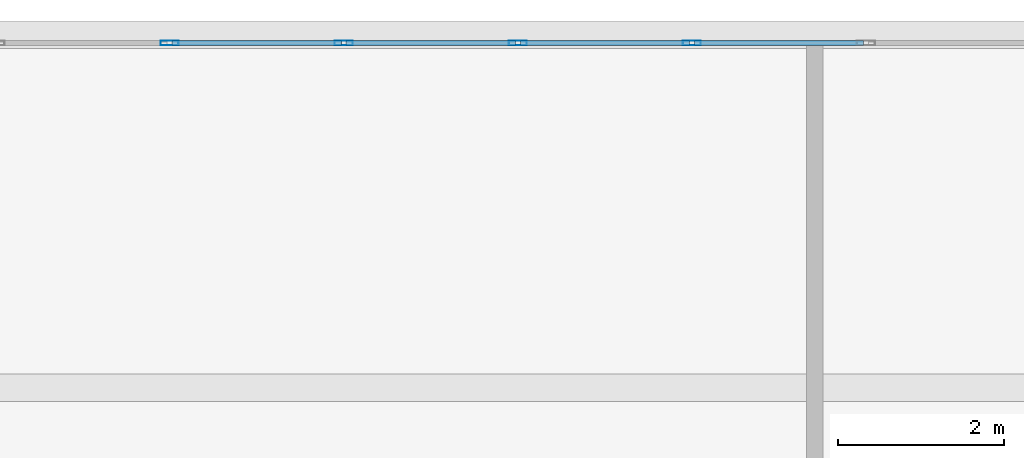
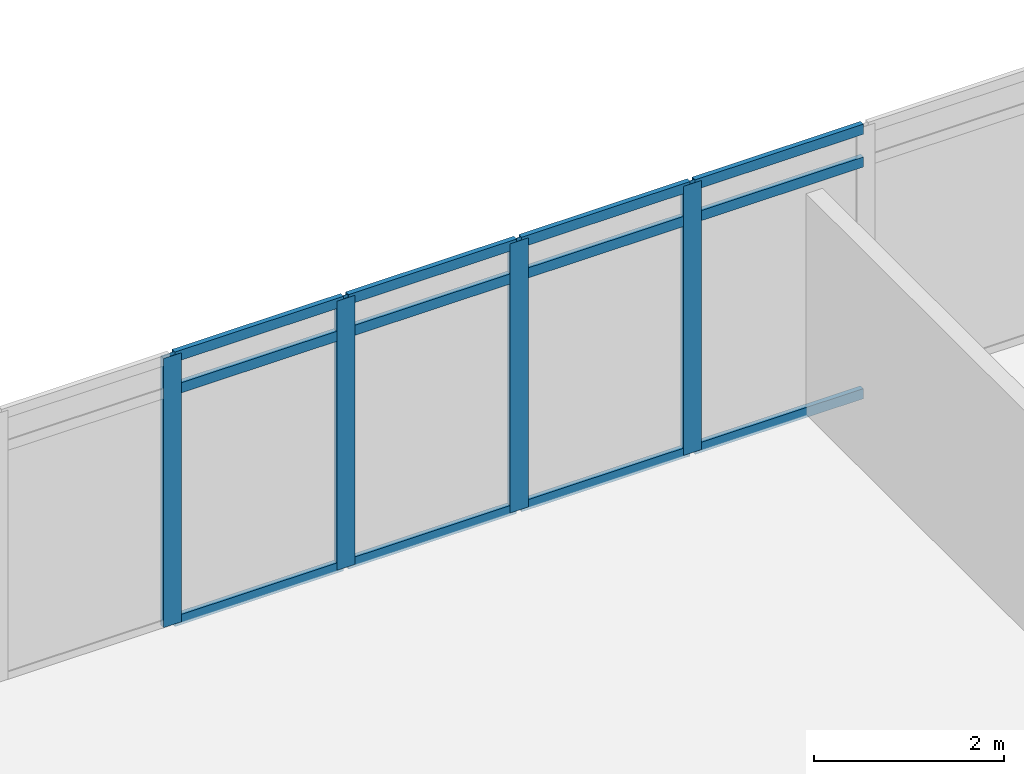
# One storey, part 22 of 38: 16 members, 1 element without a shape of its own.
"""IFC4 building model written with IfcOpenShell, lengths in metres."""

from ifc_helpers import new_model, si_unit, direction, frame, origin, origin_2d, place, context, subcontext, project, spatial, hollow_rectangle, extrude, material, material_profile, profile_set, type_object, element, aggregate, save


model = new_model("IFC4")

# Units and contexts
model_context = context("Model", 3, precision=1e-05, world=origin(), true_north=direction((0.0, 1.0)))
body_context = subcontext(model_context, "Body", "Model", "MODEL_VIEW")
ifc_project = project(units=[si_unit("LENGTHUNIT", "METRE"), si_unit("AREAUNIT", "SQUARE_METRE"), si_unit("VOLUMEUNIT", "CUBIC_METRE"), si_unit("PLANEANGLEUNIT", "RADIAN"), si_unit("MASSUNIT", "GRAM", prefix="KILO")], contexts=[model_context])

# Site, building, storey
site_placement = place(None, origin())
site = spatial("IfcSite", under=ifc_project, at=site_placement, CompositionType="ELEMENT")
building_placement = place(site_placement, origin())
building = spatial("IfcBuilding", under=site, at=building_placement, Name="Ostrander Bayou Hotel Tower", CompositionType="ELEMENT")
storey_placement = place(building_placement, frame((0.0, 0.0, 65.5)))
storey = spatial("IfcBuildingStorey", under=building, at=storey_placement, Name="L16", CompositionType="ELEMENT", Elevation=65.5)

# Curtain wall, members
ifc_material_1 = material(Name="Aluminium and clear glass", Category="aluminium")
curtain_wall_type = type_object("IfcCurtainWallType", Name="CW-BAR glazed wall", PredefinedType="NOTDEFINED", material=ifc_material_1)
curtain_wall_placement = place(storey_placement, origin())
curtain_wall = element("IfcCurtainWall", 1, at=curtain_wall_placement, inside=storey, type_object=curtain_wall_type, Name="CW-BAR L16:SB1N:T", PredefinedType="NOTDEFINED")
ifc_material_2 = material(Name="Aluminium", Category="aluminium")
ifc_material_profile_1 = material_profile(ifc_material_2, hollow_rectangle(XDim=0.06005859375, YDim=0.219970703125, WallThickness=0.00390625, at=origin_2d()))
ifc_profile_set_1 = profile_set([ifc_material_profile_1], Name="Aluminium")
member_type_1 = type_object("IfcMemberType", Name="CW-BR mullion 60 x 220 mm", PredefinedType="MULLION", material=ifc_profile_set_1)
member_1_placement = place(storey_placement, frame((0.0, 30.88623046875, 0.0), z_axis=(0.0, 0.0, 1.0), x_axis=(0.0, 1.0, 0.0)))
member_1 = element("IfcMember", 2, at=member_1_placement, type_object=member_type_1, Name="CW-BAR mullion 8", PredefinedType="MULLION", context=body_context, shape_type="SweptSolid", body=[
    extrude(hollow_rectangle(XDim=0.06005859375, YDim=0.219970703125, WallThickness=0.00390625, at=origin_2d()), origin(), (0.0, 0.0, 1.0), 3.449951171875),
])
member_2_placement = place(storey_placement, frame((2.101806640625, 30.88623046875, 0.0), z_axis=(0.0, 0.0, 1.0), x_axis=(0.0, 1.0, 0.0)))
member_2 = element("IfcMember", 3, at=member_2_placement, type_object=member_type_1, Name="CW-BAR mullion 9", PredefinedType="MULLION", context=body_context, shape_type="SweptSolid", body=[
    extrude(hollow_rectangle(XDim=0.06005859375, YDim=0.219970703125, WallThickness=0.00390625, at=origin_2d()), origin(), (0.0, 0.0, 1.0), 3.449951171875),
])
member_3_placement = place(storey_placement, frame((4.203369140625, 30.88623046875, 0.0), z_axis=(0.0, 0.0, 1.0), x_axis=(0.0, 1.0, 0.0)))
member_3 = element("IfcMember", 4, at=member_3_placement, type_object=member_type_1, Name="CW-BAR mullion 10", PredefinedType="MULLION", context=body_context, shape_type="SweptSolid", body=[
    extrude(hollow_rectangle(XDim=0.06005859375, YDim=0.219970703125, WallThickness=0.00390625, at=origin_2d()), origin(), (0.0, 0.0, 1.0), 3.449951171875),
])
member_4_placement = place(storey_placement, frame((6.30517578125, 30.88623046875, 0.0), z_axis=(0.0, 0.0, 1.0), x_axis=(0.0, 1.0, 0.0)))
member_4 = element("IfcMember", 5, at=member_4_placement, type_object=member_type_1, Name="CW-BAR mullion 11", PredefinedType="MULLION", context=body_context, shape_type="SweptSolid", body=[
    extrude(hollow_rectangle(XDim=0.06005859375, YDim=0.219970703125, WallThickness=0.00390625, at=origin_2d()), origin(), (0.0, 0.0, 1.0), 3.449951171875),
])
ifc_material_3 = material(Name="Aluminium", Category="aluminium")
ifc_material_profile_2 = material_profile(ifc_material_3, hollow_rectangle(XDim=0.06005859375, YDim=0.1298828125, WallThickness=0.00390625, at=origin_2d()))
ifc_profile_set_2 = profile_set([ifc_material_profile_2], Name="Aluminium")
member_type_2 = type_object("IfcMemberType", Name="CW-BR transom 60 x 130 mm", PredefinedType="USERDEFINED", material=ifc_profile_set_2)
member_5_placement = place(storey_placement, frame((0.030029296875, 30.88623046875, 0.030029296875), z_axis=(1.0, 0.0, 0.0), x_axis=(0.0, 1.0, 0.0)))
member_5 = element("IfcMember", 6, at=member_5_placement, type_object=member_type_2, Name="CW-BAR transom 8.1", ObjectType="TRANSOM", PredefinedType="USERDEFINED", context=body_context, shape_type="SweptSolid", body=[
    extrude(hollow_rectangle(XDim=0.06005859375, YDim=0.1298828125, WallThickness=0.00390625, at=origin_2d()), origin(), (0.0, 0.0, 1.0), 2.041748046875),
])
member_6_placement = place(storey_placement, frame((0.030029296875, 30.88623046875, 3.0), z_axis=(1.0, 0.0, 0.0), x_axis=(0.0, 1.0, 0.0)))
member_6 = element("IfcMember", 7, at=member_6_placement, type_object=member_type_2, Name="CW-BAR transom 8.2", ObjectType="TRANSOM", PredefinedType="USERDEFINED", context=body_context, shape_type="SweptSolid", body=[
    extrude(hollow_rectangle(XDim=0.06005859375, YDim=0.1298828125, WallThickness=0.00390625, at=origin_2d()), origin(), (0.0, 0.0, 1.0), 2.041748046875),
])
member_7_placement = place(storey_placement, frame((0.030029296875, 30.88623046875, 3.419921875), z_axis=(1.0, 0.0, 0.0), x_axis=(0.0, 1.0, 0.0)))
member_7 = element("IfcMember", 8, at=member_7_placement, type_object=member_type_2, Name="CW-BAR transom 8.3", ObjectType="TRANSOM", PredefinedType="USERDEFINED", context=body_context, shape_type="SweptSolid", body=[
    extrude(hollow_rectangle(XDim=0.06005859375, YDim=0.1298828125, WallThickness=0.00390625, at=origin_2d()), origin(), (0.0, 0.0, 1.0), 2.041748046875),
])
member_8_placement = place(storey_placement, frame((2.1318359375, 30.88623046875, 0.030029296875), z_axis=(1.0, 0.0, 0.0), x_axis=(0.0, 1.0, 0.0)))
member_8 = element("IfcMember", 9, at=member_8_placement, type_object=member_type_2, Name="CW-BAR transom 9.1", ObjectType="TRANSOM", PredefinedType="USERDEFINED", context=body_context, shape_type="SweptSolid", body=[
    extrude(hollow_rectangle(XDim=0.06005859375, YDim=0.1298828125, WallThickness=0.00390625, at=origin_2d()), origin(), (0.0, 0.0, 1.0), 2.041748046875),
])
member_9_placement = place(storey_placement, frame((2.1318359375, 30.88623046875, 3.0), z_axis=(1.0, 0.0, 0.0), x_axis=(0.0, 1.0, 0.0)))
member_9 = element("IfcMember", 10, at=member_9_placement, type_object=member_type_2, Name="CW-BAR transom 9.2", ObjectType="TRANSOM", PredefinedType="USERDEFINED", context=body_context, shape_type="SweptSolid", body=[
    extrude(hollow_rectangle(XDim=0.06005859375, YDim=0.1298828125, WallThickness=0.00390625, at=origin_2d()), origin(), (0.0, 0.0, 1.0), 2.041748046875),
])
member_10_placement = place(storey_placement, frame((2.1318359375, 30.88623046875, 3.419921875), z_axis=(1.0, 0.0, 0.0), x_axis=(0.0, 1.0, 0.0)))
member_10 = element("IfcMember", 11, at=member_10_placement, type_object=member_type_2, Name="CW-BAR transom 9.3", ObjectType="TRANSOM", PredefinedType="USERDEFINED", context=body_context, shape_type="SweptSolid", body=[
    extrude(hollow_rectangle(XDim=0.06005859375, YDim=0.1298828125, WallThickness=0.00390625, at=origin_2d()), origin(), (0.0, 0.0, 1.0), 2.041748046875),
])
member_11_placement = place(storey_placement, frame((4.2333984375, 30.88623046875, 0.030029296875), z_axis=(1.0, 0.0, 0.0), x_axis=(0.0, 1.0, 0.0)))
member_11 = element("IfcMember", 12, at=member_11_placement, type_object=member_type_2, Name="CW-BAR transom 10.1", ObjectType="TRANSOM", PredefinedType="USERDEFINED", context=body_context, shape_type="SweptSolid", body=[
    extrude(hollow_rectangle(XDim=0.06005859375, YDim=0.1298828125, WallThickness=0.00390625, at=origin_2d()), origin(), (0.0, 0.0, 1.0), 2.041748046875),
])
member_12_placement = place(storey_placement, frame((4.2333984375, 30.88623046875, 3.0), z_axis=(1.0, 0.0, 0.0), x_axis=(0.0, 1.0, 0.0)))
member_12 = element("IfcMember", 13, at=member_12_placement, type_object=member_type_2, Name="CW-BAR transom 10.2", ObjectType="TRANSOM", PredefinedType="USERDEFINED", context=body_context, shape_type="SweptSolid", body=[
    extrude(hollow_rectangle(XDim=0.06005859375, YDim=0.1298828125, WallThickness=0.00390625, at=origin_2d()), origin(), (0.0, 0.0, 1.0), 2.041748046875),
])
member_13_placement = place(storey_placement, frame((4.2333984375, 30.88623046875, 3.419921875), z_axis=(1.0, 0.0, 0.0), x_axis=(0.0, 1.0, 0.0)))
member_13 = element("IfcMember", 14, at=member_13_placement, type_object=member_type_2, Name="CW-BAR transom 10.3", ObjectType="TRANSOM", PredefinedType="USERDEFINED", context=body_context, shape_type="SweptSolid", body=[
    extrude(hollow_rectangle(XDim=0.06005859375, YDim=0.1298828125, WallThickness=0.00390625, at=origin_2d()), origin(), (0.0, 0.0, 1.0), 2.041748046875),
])
member_14_placement = place(storey_placement, frame((6.335205078125, 30.88623046875, 0.030029296875), z_axis=(1.0, 0.0, 0.0), x_axis=(0.0, 1.0, 0.0)))
member_14 = element("IfcMember", 15, at=member_14_placement, type_object=member_type_2, Name="CW-BAR transom 11.1", ObjectType="TRANSOM", PredefinedType="USERDEFINED", context=body_context, shape_type="SweptSolid", body=[
    extrude(hollow_rectangle(XDim=0.06005859375, YDim=0.1298828125, WallThickness=0.00390625, at=origin_2d()), origin(), (0.0, 0.0, 1.0), 2.041748046875),
])
member_15_placement = place(storey_placement, frame((6.335205078125, 30.88623046875, 3.0), z_axis=(1.0, 0.0, 0.0), x_axis=(0.0, 1.0, 0.0)))
member_15 = element("IfcMember", 16, at=member_15_placement, type_object=member_type_2, Name="CW-BAR transom 11.2", ObjectType="TRANSOM", PredefinedType="USERDEFINED", context=body_context, shape_type="SweptSolid", body=[
    extrude(hollow_rectangle(XDim=0.06005859375, YDim=0.1298828125, WallThickness=0.00390625, at=origin_2d()), origin(), (0.0, 0.0, 1.0), 2.041748046875),
])
member_16_placement = place(storey_placement, frame((6.335205078125, 30.88623046875, 3.419921875), z_axis=(1.0, 0.0, 0.0), x_axis=(0.0, 1.0, 0.0)))
member_16 = element("IfcMember", 17, at=member_16_placement, type_object=member_type_2, Name="CW-BAR transom 11.3", ObjectType="TRANSOM", PredefinedType="USERDEFINED", context=body_context, shape_type="SweptSolid", body=[
    extrude(hollow_rectangle(XDim=0.06005859375, YDim=0.1298828125, WallThickness=0.00390625, at=origin_2d()), origin(), (0.0, 0.0, 1.0), 2.041748046875),
])
aggregate(curtain_wall, [member_1, member_2, member_3, member_4, member_5, member_6, member_7, member_8, member_9, member_10, member_11, member_12, member_13, member_14, member_15, member_16])

save(model, "model.ifc")
